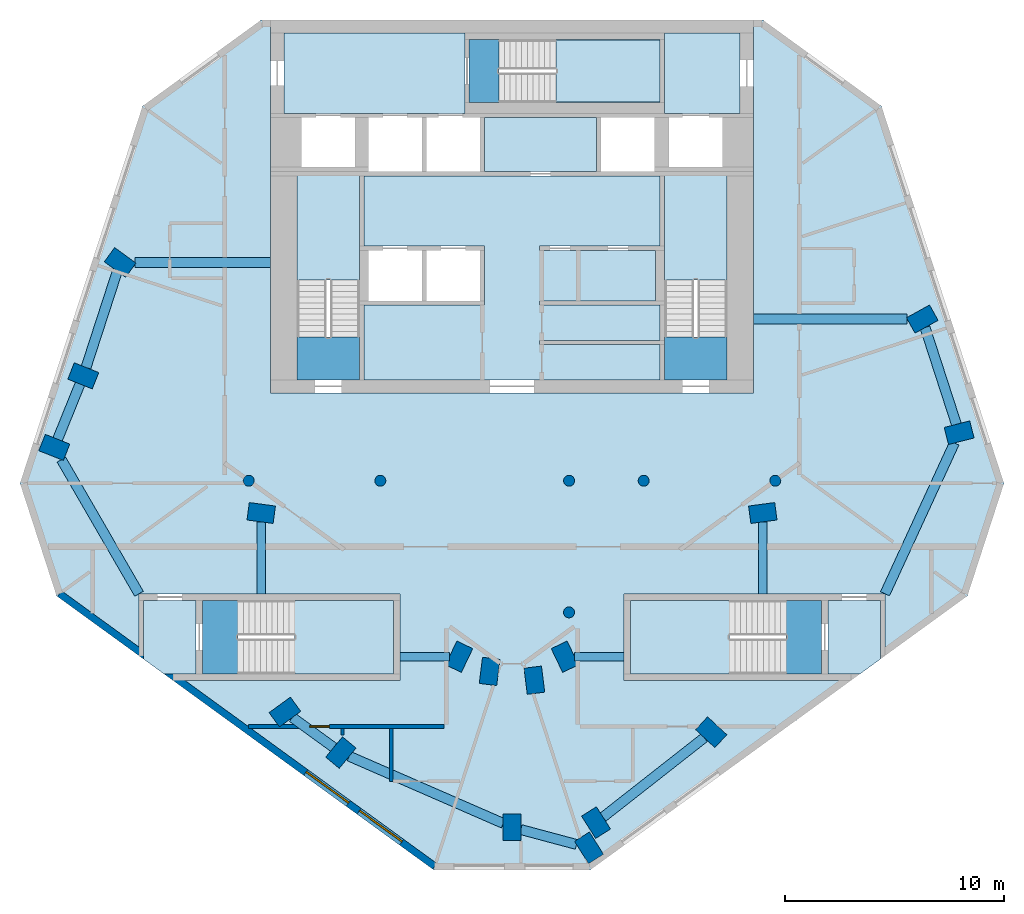
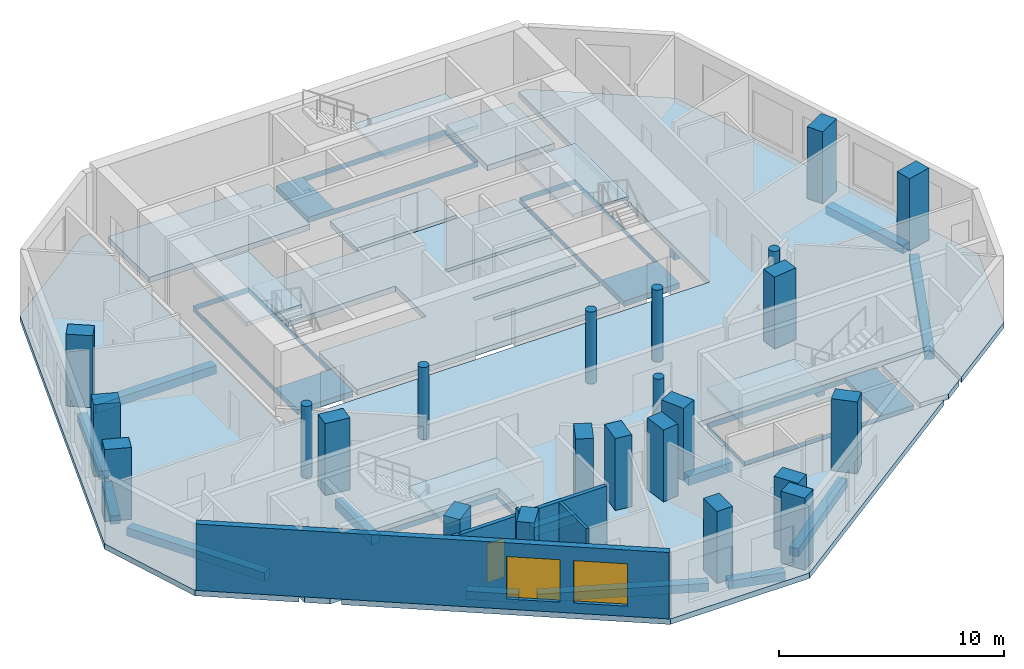
# One storey, part 1 of 8: 23 columns, 17 slabs, 15 beams, 4 walls, 2 windows, 1 door, 3 openings, 5 elements without a shape of their own.
"""IFC4 building model written with IfcOpenShell, lengths in metres."""

from ifc_helpers import new_model, si_unit, direction, frame, frame_2d, origin, origin_2d, place, context, subcontext, project, spatial, polyline, rectangle, circle, outline, extrude, material, layer, layer_set, material_profile, profile_set, type_object, element, fill, aggregate, save


model = new_model("IFC4")

# Units and contexts
model_context = context("Model", 3, precision=1e-05, world=origin(), true_north=direction((0.0, 1.0)))
body_context = subcontext(model_context, "Body", "Model", "MODEL_VIEW")
ifc_project = project(units=[si_unit("LENGTHUNIT", "METRE"), si_unit("AREAUNIT", "SQUARE_METRE"), si_unit("VOLUMEUNIT", "CUBIC_METRE"), si_unit("PLANEANGLEUNIT", "RADIAN"), si_unit("MASSUNIT", "GRAM", prefix="KILO")], contexts=[model_context])

# Site, building, storey
site_placement = place(None, origin())
site = spatial("IfcSite", under=ifc_project, at=site_placement, CompositionType="ELEMENT")
building_placement = place(site_placement, origin())
building = spatial("IfcBuilding", under=site, at=building_placement, Name="White Candle Pilgrim Tower", CompositionType="ELEMENT")
storey_placement = place(building_placement, frame((0.0, 0.0, 313.89990234375)))
storey = spatial("IfcBuildingStorey", under=building, at=storey_placement, Name="L74", CompositionType="ELEMENT", Elevation=313.89990234375)

# Columns
ifc_material_1 = material(Name="Concrete C60/75", Category="concrete")
ifc_material_profile_1 = material_profile(ifc_material_1, circle(Radius=0.25, at=origin_2d()), Name="RC-COL D500")
ifc_profile_set_1 = profile_set([ifc_material_profile_1], Name="Concrete C60/75")
column_type_1 = type_object("IfcColumnType", Name="Interior column RC-COL D500 C60/75", PredefinedType="COLUMN", material=ifc_profile_set_1)
for number, where, z_axis, x_axis, name in (
    (1, (58.0, 67.0, 0.0), (0.0, 0.0, 1.0), (1.0, 0.0, 0.0), "L74 column I01"),
    (2, (64.0, 67.0, 0.0), (0.0, 0.0, 1.0), (1.0, 0.0, 0.0), "L74 column I02"),
    (3, (72.60009765625, 61.0, 0.0), (0.0, 0.0, 1.0), (1.0, 0.0, 0.0), "L74 column I03"),
    (4, (72.60009765625, 67.0, 0.0), (0.0, 0.0, 1.0), (1.0, 0.0, 0.0), "L74 column I04"),
    (5, (76.0, 67.0, 0.0), (0.0, 0.0, 1.0), (1.0, 0.0, 0.0), "L74 column I05"),
    (6, (82.0, 67.0, 0.0), (0.0, 0.0, 1.0), (1.0, 0.0, 0.0), "L74 column I06"),
):
    element("IfcColumn", number, at=place(storey_placement, frame(where, z_axis=z_axis, x_axis=x_axis)), inside=storey, type_object=column_type_1, Name=name, PredefinedType="COLUMN", context=body_context, shape_type="SweptSolid", body=[
        extrude(circle(Radius=0.25, at=origin_2d()), origin(), (0.0, 0.0, 1.0), 3.900146484375),
    ])
ifc_material_profile_2 = material_profile(ifc_material_1, rectangle(XDim=0.800048828125, YDim=1.199951171875, at=origin_2d()), Name="RC-PR 800x1200")
ifc_profile_set_2 = profile_set([ifc_material_profile_2], Name="Concrete C60/75")
column_type_2 = type_object("IfcColumnType", Name="Perimeter column RC-PR 800x1200 C60/75", PredefinedType="COLUMN", material=ifc_profile_set_2)
for number, where, z_axis, x_axis, name in (
    (7, (59.64990234375, 56.4599609375, 0.0), (0.0, 0.0, 1.0), (-0.58846280644, 0.808524288711, 0.0), "L74 column T01"),
    (8, (62.199951171875, 54.610107421875, 0.0), (0.0, 0.0, 1.0), (-0.769310358735, 0.638875239733, 0.0), "L74 column T02"),
    (9, (70.0, 51.2099609375, 0.0), (0.0, 0.0, 1.0), (-1.0, 0.0, 0.0), "L74 column T03"),
    (10, (73.510009765625, 50.27001953125, 0.0), (0.0, 0.0, 1.0), (-0.845317785834, -0.534263830848, 0.0), "L74 column T04"),
    (11, (73.830078125, 51.419921875, 0.0), (0.0, 0.0, 1.0), (-0.845317785834, -0.534263830848, 0.0), "L74 column T05"),
    (12, (79.080078125, 55.5400390625, 0.0), (0.0, 0.0, 1.0), (-0.681998360062, -0.731353701619, 0.0), "L74 column T06"),
    (13, (90.3798828125, 69.18994140625, 0.0), (0.0, 0.0, 1.0), (0.246880623275, -0.969045900797, 0.0), "L74 column T07"),
    (14, (88.699951171875, 74.3701171875, 0.0), (0.0, 0.0, 1.0), (0.484809620246, -0.874619707139, 0.0), "L74 column T08"),
    (15, (52.139892578125, 76.949951171875, 0.0), (0.0, 0.0, 1.0), (0.587107285614, 0.809509132239, 0.0), "L74 column T09"),
    (16, (50.4599609375, 71.780029296875, 0.0), (0.0, 0.0, 1.0), (0.369860269472, 0.929087391512, 0.0), "L74 column T10"),
    (17, (49.139892578125, 68.52001953125, 0.0), (0.0, 0.0, 1.0), (0.369860269472, 0.929087391512, 0.0), "L74 column T11"),
):
    element("IfcColumn", number, at=place(storey_placement, frame(where, z_axis=z_axis, x_axis=x_axis)), inside=storey, type_object=column_type_2, Name=name, PredefinedType="COLUMN", context=body_context, shape_type="SweptSolid", body=[
        extrude(rectangle(XDim=0.800048828125, YDim=1.199951171875, at=origin_2d()), origin(), (0.0, 0.0, 1.0), 3.900146484375),
    ])
ifc_material_profile_3 = material_profile(ifc_material_1, rectangle(XDim=0.800048828125, YDim=1.199951171875, at=origin_2d()), Name="RC-PR 800x1200")
ifc_profile_set_3 = profile_set([ifc_material_profile_3], Name="Concrete C60/75")
column_type_3 = type_object("IfcColumnType", Name="Ring column RC-PR 800x1200 C60/75", PredefinedType="COLUMN", material=ifc_profile_set_3)
for number, where, z_axis, x_axis, name in (
    (18, (67.590087890625, 58.97998046875, 0.0), (0.0, 0.0, 1.0), (-0.901689191761, 0.43238478403, 0.0), "L74 column R01"),
    (19, (68.97998046875, 58.31005859375, 0.0), (0.0, 0.0, 1.0), (-0.992092811428, 0.125506388335, 0.0), "L74 column R02"),
    (20, (71.02001953125, 57.909912109375, 0.0), (0.0, 0.0, 1.0), (-0.992092811428, -0.125506388335, 0.0), "L74 column R03"),
    (21, (72.409912109375, 58.97998046875, 0.0), (0.0, 0.0, 1.0), (-0.901689191761, -0.43238478403, 0.0), "L74 column R04"),
    (22, (81.429931640625, 65.530029296875, 0.0), (0.0, 0.0, 1.0), (0.132602381688, -0.991169313675, 0.0), "L74 column R05"),
    (23, (58.570068359375, 65.530029296875, 0.0), (0.0, 0.0, 1.0), (0.132602381688, 0.991169313675, 0.0), "L74 column R06"),
):
    element("IfcColumn", number, at=place(storey_placement, frame(where, z_axis=z_axis, x_axis=x_axis)), inside=storey, type_object=column_type_3, Name=name, PredefinedType="COLUMN", context=body_context, shape_type="SweptSolid", body=[
        extrude(rectangle(XDim=0.800048828125, YDim=1.199951171875, at=origin_2d()), origin(), (0.0, 0.0, 1.0), 3.900146484375),
    ])

# Beams
ifc_material_2 = material(Name="Concrete C50/60", Category="concrete")
ifc_material_profile_4 = material_profile(ifc_material_2, rectangle(XDim=0.39990234375, YDim=0.5, at=origin_2d()), Name="RC-BM 400x500")
ifc_profile_set_4 = profile_set([ifc_material_profile_4], Name="Concrete C50/60")
beam_type_1 = type_object("IfcBeamType", Name="Ring beam RC-BM 400x500 C50/60", PredefinedType="BEAM", material=ifc_profile_set_4)
beam_1_placement = place(storey_placement, frame((72.853515625, 58.97998046875, -0.5498046875), z_axis=(1.0, 0.0, 0.0), x_axis=(0.0, 1.0, 0.0)))
element("IfcBeam", 24, at=beam_1_placement, inside=storey, type_object=beam_type_1, Name="L74 ring beam R01", PredefinedType="BEAM", context=body_context, shape_type="SweptSolid", body=[
    extrude(rectangle(XDim=0.39990234375, YDim=0.5, at=origin_2d()), origin(), (0.0, 0.0, 1.0), 2.24658203125),
])
for number, where, z_axis, x_axis, name in (
    (25, (81.429931640625, 65.12646484375, -0.5498046875), (0.0, -1.0, 0.0), (1.0, 0.0, 0.0), "L74 ring beam R02"),
    (26, (58.570068359375, 65.12646484375, -0.5498046875), (0.0, -1.0, 0.0), (1.0, 0.0, 0.0), "L74 ring beam R03"),
):
    element("IfcBeam", number, at=place(storey_placement, frame(where, z_axis=z_axis, x_axis=x_axis)), inside=storey, type_object=beam_type_1, Name=name, PredefinedType="BEAM", context=body_context, shape_type="SweptSolid", body=[
        extrude(rectangle(XDim=0.39990234375, YDim=0.5, at=origin_2d()), origin(), (0.0, 0.0, 1.0), 3.2763671875),
    ])
beam_2_placement = place(storey_placement, frame((67.146484375, 58.97998046875, -0.5498046875), z_axis=(-1.0, 0.0, 0.0), x_axis=(0.0, -1.0, 0.0)))
element("IfcBeam", 27, at=beam_2_placement, inside=storey, type_object=beam_type_1, Name="L74 ring beam R04", PredefinedType="BEAM", context=body_context, shape_type="SweptSolid", body=[
    extrude(rectangle(XDim=0.39990234375, YDim=0.5, at=origin_2d()), origin(), (0.0, 0.0, 1.0), 2.24658203125),
])
ifc_material_profile_5 = material_profile(ifc_material_2, rectangle(XDim=0.449951171875, YDim=0.449951171875, at=origin_2d()), Name="RC-BM 450x450")
ifc_profile_set_5 = profile_set([ifc_material_profile_5], Name="Concrete C50/60")
beam_type_2 = type_object("IfcBeamType", Name="Spandrel beam RC-BM 450x450 C50/60", PredefinedType="BEAM", material=ifc_profile_set_5)
beam_3_placement = place(storey_placement, frame((59.990478515625, 56.212890625, -0.52490234375), z_axis=(0.809447251057, -0.58719259852, 0.0), x_axis=(0.58719259852, 0.809447251057, 0.0)))
element("IfcBeam", 28, at=beam_3_placement, inside=storey, type_object=beam_type_2, Name="L74 spandrel beam T01", PredefinedType="BEAM", context=body_context, shape_type="SweptSolid", body=[
    extrude(rectangle(XDim=0.449951171875, YDim=0.449951171875, at=origin_2d()), origin(), (0.0, 0.0, 1.0), 2.328857421875),
])
beam_4_placement = place(storey_placement, frame((62.581787109375, 54.443603515625, -0.52490234375), z_axis=(0.9167046502, -0.399565494382, 0.0), x_axis=(0.399565494382, 0.9167046502, 0.0)))
element("IfcBeam", 29, at=beam_4_placement, inside=storey, type_object=beam_type_2, Name="L74 spandrel beam T02", PredefinedType="BEAM", context=body_context, shape_type="SweptSolid", body=[
    extrude(rectangle(XDim=0.449951171875, YDim=0.449951171875, at=origin_2d()), origin(), (0.0, 0.0, 1.0), 7.656005859375),
])
beam_5_placement = place(storey_placement, frame((70.39990234375, 51.102783203125, -0.52490234375), z_axis=(0.965978702325, -0.258621628357, 0.0), x_axis=(0.258621628357, 0.965978702325, 0.0)))
element("IfcBeam", 30, at=beam_5_placement, inside=storey, type_object=beam_type_2, Name="L74 spandrel beam T03", PredefinedType="BEAM", context=body_context, shape_type="SweptSolid", body=[
    extrude(rectangle(XDim=0.449951171875, YDim=0.449951171875, at=origin_2d()), origin(), (0.0, 0.0, 1.0), 2.6298828125),
])
beam_6_placement = place(storey_placement, frame((74.146240234375, 51.668212890625, -0.52490234375), z_axis=(0.786684987555, 0.617354622851, 0.0), x_axis=(-0.617354622851, 0.786684987555, 0.0)))
element("IfcBeam", 31, at=beam_6_placement, inside=storey, type_object=beam_type_2, Name="L74 spandrel beam T04", PredefinedType="BEAM", context=body_context, shape_type="SweptSolid", body=[
    extrude(rectangle(XDim=0.449951171875, YDim=0.449951171875, at=origin_2d()), origin(), (0.0, 0.0, 1.0), 5.86669921875),
])
beam_7_placement = place(storey_placement, frame((90.164794921875, 68.722412109375, -0.52490234375), z_axis=(-0.418290677934, -0.908313221721, 0.0), x_axis=(0.908313221721, -0.418290677934, 0.0)))
element("IfcBeam", 32, at=beam_7_placement, inside=storey, type_object=beam_type_2, Name="L74 spandrel beam T05", PredefinedType="BEAM", context=body_context, shape_type="SweptSolid", body=[
    extrude(rectangle(XDim=0.449951171875, YDim=0.449951171875, at=origin_2d()), origin(), (0.0, 0.0, 1.0), 7.56591796875),
])
beam_8_placement = place(storey_placement, frame((90.25634765625, 69.5712890625, -0.52490234375), z_axis=(-0.308509847878, 0.951221148715, 0.0), x_axis=(-0.951221148715, -0.308509847878, 0.0)))
element("IfcBeam", 33, at=beam_8_placement, inside=storey, type_object=beam_type_2, Name="L74 spandrel beam T06", PredefinedType="BEAM", context=body_context, shape_type="SweptSolid", body=[
    extrude(rectangle(XDim=0.449951171875, YDim=0.449951171875, at=origin_2d()), origin(), (0.0, 0.0, 1.0), 4.637451171875),
])
beam_9_placement = place(storey_placement, frame((88.013916015625, 74.3701171875, -0.52490234375), z_axis=(-1.0, 0.0, 0.0), x_axis=(0.0, -1.0, 0.0)))
element("IfcBeam", 34, at=beam_9_placement, inside=storey, type_object=beam_type_2, Name="L74 spandrel beam T07", PredefinedType="BEAM", context=body_context, shape_type="SweptSolid", body=[
    extrude(rectangle(XDim=0.449951171875, YDim=0.449951171875, at=origin_2d()), origin(), (0.0, 0.0, 1.0), 7.013916015625),
])
beam_10_placement = place(storey_placement, frame((52.8212890625, 76.949951171875, -0.52490234375), z_axis=(1.0, 0.0, 0.0), x_axis=(0.0, 1.0, 0.0)))
element("IfcBeam", 35, at=beam_10_placement, inside=storey, type_object=beam_type_2, Name="L74 spandrel beam T08", PredefinedType="BEAM", context=body_context, shape_type="SweptSolid", body=[
    extrude(rectangle(XDim=0.449951171875, YDim=0.449951171875, at=origin_2d()), origin(), (0.0, 0.0, 1.0), 6.1787109375),
])
beam_11_placement = place(storey_placement, frame((52.010009765625, 76.550048828125, -0.52490234375), z_axis=(-0.309013100196, -0.951057781582, 0.0), x_axis=(0.951057781582, -0.309013100196, 0.0)))
element("IfcBeam", 36, at=beam_11_placement, inside=storey, type_object=beam_type_2, Name="L74 spandrel beam T09", PredefinedType="BEAM", context=body_context, shape_type="SweptSolid", body=[
    extrude(rectangle(XDim=0.449951171875, YDim=0.449951171875, at=origin_2d()), origin(), (0.0, 0.0, 1.0), 4.61474609375),
])
beam_12_placement = place(storey_placement, frame((50.309814453125, 71.4091796875, -0.52490234375), z_axis=(-0.375337979494, -0.926888019746, 0.0), x_axis=(0.926888019746, -0.375337979494, 0.0)))
element("IfcBeam", 37, at=beam_12_placement, inside=storey, type_object=beam_type_2, Name="L74 spandrel beam T10", PredefinedType="BEAM", context=body_context, shape_type="SweptSolid", body=[
    extrude(rectangle(XDim=0.449951171875, YDim=0.449951171875, at=origin_2d()), origin(), (0.0, 0.0, 1.0), 2.717041015625),
])
beam_13_placement = place(storey_placement, frame((49.463623046875, 67.960693359375, -0.52490234375), z_axis=(0.500894499263, -0.865508348087, 0.0), x_axis=(0.865508348087, 0.500894499263, 0.0)))
element("IfcBeam", 38, at=beam_13_placement, inside=storey, type_object=beam_type_2, Name="L74 spandrel beam T11", PredefinedType="BEAM", context=body_context, shape_type="SweptSolid", body=[
    extrude(rectangle(XDim=0.449951171875, YDim=0.449951171875, at=origin_2d()), origin(), (0.0, 0.0, 1.0), 7.06005859375),
])

# Slabs
ifc_material_3 = material(Name="Concrete C40/50", Category="concrete")
ifc_layer_1 = layer(ifc_material_3, 0.300048828125)
ifc_layer_set_1 = layer_set([ifc_layer_1], Name="Core floor slab 300 mm Concrete C40/50")
slab_type_1 = type_object("IfcSlabType", Name="Core floor slab 300 mm Concrete C40/50", PredefinedType="FLOOR", material=ifc_layer_set_1)
slab_1_placement = place(storey_placement, frame((0.0, 0.0, -0.2998046875)))
element("IfcSlab", 39, at=slab_1_placement, inside=storey, type_object=slab_type_1, Name="CF-L74-01", PredefinedType="FLOOR", context=body_context, shape_type="SweptSolid", body=[
    extrude(outline(polyline([(54.5458984375, 58.199951171875), (54.133056640625, 58.199951171875), (53.199951171875, 58.8779296875), (53.199951171875, 59.023193359375), (53.199951171875, 61.550048828125), (55.60009765625, 61.550048828125), (55.60009765625, 58.199951171875), (54.5458984375, 58.199951171875)])), origin(), (0.0, 0.0, 1.0), 0.2998046875),
])
slab_2_placement = place(storey_placement, frame((0.0, 0.0, -0.2998046875)))
element("IfcSlab", 40, at=slab_2_placement, inside=storey, type_object=slab_type_1, Name="CF-L74-02", PredefinedType="FLOOR", context=body_context, shape_type="SweptSolid", body=[
    extrude(outline(polyline([(55.89990234375, 58.199951171875), (55.89990234375, 61.550048828125), (64.60009765625, 61.550048828125), (64.60009765625, 58.199951171875), (55.89990234375, 58.199951171875)]), holes=[polyline([(57.501953125, 61.548095703125), (57.501953125, 58.201904296875), (64.597900390625, 58.201904296875), (64.597900390625, 61.548095703125), (57.501953125, 61.548095703125)])]), origin(), (0.0, 0.0, 1.0), 0.2998046875),
])
slab_3_placement = place(storey_placement, frame((0.0, 0.0, -0.2998046875)))
element("IfcSlab", 41, at=slab_3_placement, inside=storey, type_object=slab_type_1, Name="CF-L74-03", PredefinedType="FLOOR", context=body_context, shape_type="SweptSolid", body=[
    extrude(outline(polyline([(75.39990234375, 58.199951171875), (75.39990234375, 61.550048828125), (84.10009765625, 61.550048828125), (84.10009765625, 58.199951171875), (75.39990234375, 58.199951171875)]), holes=[polyline([(82.498046875, 58.201904296875), (82.498046875, 61.548095703125), (75.402099609375, 61.548095703125), (75.402099609375, 58.201904296875), (82.498046875, 58.201904296875)])]), origin(), (0.0, 0.0, 1.0), 0.2998046875),
])
slab_4_placement = place(storey_placement, frame((0.0, 0.0, -0.2998046875)))
element("IfcSlab", 42, at=slab_4_placement, inside=storey, type_object=slab_type_1, Name="CF-L74-04", PredefinedType="FLOOR", context=body_context, shape_type="SweptSolid", body=[
    extrude(outline(polyline([(86.800048828125, 59.023193359375), (86.800048828125, 58.8779296875), (85.866943359375, 58.199951171875), (85.4541015625, 58.199951171875), (84.39990234375, 58.199951171875), (84.39990234375, 61.550048828125), (86.800048828125, 61.550048828125), (86.800048828125, 59.023193359375)])), origin(), (0.0, 0.0, 1.0), 0.2998046875),
])
slab_5_placement = place(storey_placement, frame((0.0, 0.0, -0.2998046875)))
element("IfcSlab", 43, at=slab_5_placement, inside=storey, type_object=slab_type_1, Name="CF-L74-05", PredefinedType="FLOOR", context=body_context, shape_type="SweptSolid", body=[
    extrude(outline(polyline([(76.949951171875, 71.60009765625), (76.949951171875, 73.199951171875), (76.949951171875, 73.39990234375), (76.949951171875, 75.0), (76.949951171875, 75.199951171875), (76.949951171875, 77.5), (76.949951171875, 77.699951171875), (76.949951171875, 80.89990234375), (79.800048828125, 80.89990234375), (79.800048828125, 71.60009765625), (76.949951171875, 71.60009765625)]), holes=[polyline([(76.951904296875, 73.552001953125), (79.798095703125, 73.552001953125), (79.798095703125, 80.89794921875), (76.951904296875, 80.89794921875), (76.951904296875, 73.552001953125)])]), origin(), (0.0, 0.0, 1.0), 0.2998046875),
])
slab_6_placement = place(storey_placement, frame((0.0, 0.0, -0.2998046875)))
element("IfcSlab", 44, at=slab_6_placement, inside=storey, type_object=slab_type_1, Name="CF-L74-06", PredefinedType="FLOOR", context=body_context, shape_type="SweptSolid", body=[
    extrude(outline(polyline([(63.25, 71.60009765625), (63.25, 75.0), (68.75, 75.0), (68.75, 75.199951171875), (68.75, 77.5), (68.75, 77.699951171875), (63.25, 77.699951171875), (63.25, 80.89990234375), (76.75, 80.89990234375), (76.75, 77.699951171875), (71.25, 77.699951171875), (71.25, 77.5), (76.550048828125, 77.5), (76.550048828125, 75.199951171875), (71.25, 75.199951171875), (71.25, 75.0), (76.75, 75.0), (76.75, 73.39990234375), (71.25, 73.39990234375), (71.25, 73.199951171875), (76.75, 73.199951171875), (76.75, 71.60009765625), (63.25, 71.60009765625)])), origin(), (0.0, 0.0, 1.0), 0.2998046875),
])
slab_7_placement = place(storey_placement, frame((0.0, 0.0, -0.2998046875)))
element("IfcSlab", 45, at=slab_7_placement, inside=storey, type_object=slab_type_1, Name="CF-L74-07", PredefinedType="FLOOR", context=body_context, shape_type="SweptSolid", body=[
    extrude(outline(polyline([(60.199951171875, 71.60009765625), (60.199951171875, 80.89990234375), (63.050048828125, 80.89990234375), (63.050048828125, 77.699951171875), (63.050048828125, 77.5), (63.050048828125, 75.199951171875), (63.050048828125, 75.0), (63.050048828125, 71.60009765625), (60.199951171875, 71.60009765625)]), holes=[polyline([(60.201904296875, 73.552001953125), (63.048095703125, 73.552001953125), (63.048095703125, 80.89794921875), (60.201904296875, 80.89794921875), (60.201904296875, 73.552001953125)])]), origin(), (0.0, 0.0, 1.0), 0.2998046875),
])
slab_8_placement = place(storey_placement, frame((0.0, 0.0, -0.2998046875)))
element("IfcSlab", 46, at=slab_8_placement, inside=storey, type_object=slab_type_1, Name="CF-L74-08", PredefinedType="FLOOR", context=body_context, shape_type="SweptSolid", body=[
    extrude(outline(polyline([(59.60009765625, 87.39990234375), (67.85009765625, 87.39990234375), (67.85009765625, 87.10009765625), (67.85009765625, 84.25), (67.85009765625, 83.75), (59.60009765625, 83.75), (59.60009765625, 87.39990234375)])), origin(), (0.0, 0.0, 1.0), 0.2998046875),
])
slab_9_placement = place(storey_placement, frame((0.0, 0.0, -0.2998046875)))
element("IfcSlab", 47, at=slab_9_placement, inside=storey, type_object=slab_type_1, Name="CF-L74-09", PredefinedType="FLOOR", context=body_context, shape_type="SweptSolid", body=[
    extrude(outline(polyline([(80.39990234375, 87.39990234375), (80.39990234375, 83.75), (76.949951171875, 83.75), (76.949951171875, 84.25), (76.949951171875, 87.10009765625), (76.949951171875, 87.39990234375), (80.39990234375, 87.39990234375)])), origin(), (0.0, 0.0, 1.0), 0.2998046875),
])
slab_10_placement = place(storey_placement, frame((0.0, 0.0, -0.2998046875)))
element("IfcSlab", 48, at=slab_10_placement, inside=storey, type_object=slab_type_1, Name="CF-L74-10", PredefinedType="FLOOR", context=body_context, shape_type="SweptSolid", body=[
    extrude(outline(polyline([(68.75, 81.10009765625), (68.75, 83.550048828125), (73.85009765625, 83.550048828125), (73.85009765625, 81.10009765625), (68.75, 81.10009765625)])), origin(), (0.0, 0.0, 1.0), 0.2998046875),
])
slab_11_placement = place(storey_placement, frame((0.0, 0.0, -0.2998046875)))
element("IfcSlab", 49, at=slab_11_placement, inside=storey, type_object=slab_type_1, Name="CF-L74-11", PredefinedType="FLOOR", context=body_context, shape_type="SweptSolid", body=[
    extrude(outline(polyline([(68.050048828125, 87.10009765625), (76.75, 87.10009765625), (76.75, 84.25), (68.050048828125, 84.25), (68.050048828125, 87.10009765625)]), holes=[polyline([(69.402099609375, 84.251953125), (76.748046875, 84.251953125), (76.748046875, 87.097900390625), (69.402099609375, 87.097900390625), (69.402099609375, 84.251953125)])]), origin(), (0.0, 0.0, 1.0), 0.2998046875),
])
ifc_layer_2 = layer(ifc_material_3, 0.300048828125)
ifc_layer_set_2 = layer_set([ifc_layer_2], Name="Floor slab 300 REI 120")
slab_type_2 = type_object("IfcSlabType", Name="Floor slab 300 REI 120", PredefinedType="FLOOR", material=ifc_layer_set_2)
slab_12_placement = place(storey_placement, frame((0.0, 0.0, -0.2998046875)))
element("IfcSlab", 50, at=slab_12_placement, inside=storey, type_object=slab_type_2, Name="L74 floor slab", PredefinedType="FLOOR", context=body_context, shape_type="SweptSolid", body=[
    extrude(outline(polyline([(66.426513671875, 49.268310546875), (73.573486328125, 49.268310546875), (85.4541015625, 57.89990234375), (75.10009765625, 57.89990234375), (75.10009765625, 61.85009765625), (87.0, 61.85009765625), (87.0, 59.023193359375), (90.756591796875, 61.752685546875), (92.424072265625, 66.8837890625), (86.837890625, 84.075927734375), (81.43701171875, 88.0), (81.0, 88.0), (81.0, 71.0), (59.0, 71.0), (59.0, 88.0), (58.56298828125, 88.0), (53.162109375, 84.075927734375), (47.575927734375, 66.8837890625), (49.243408203125, 61.752685546875), (53.0, 59.023193359375), (53.0, 61.85009765625), (64.89990234375, 61.85009765625), (64.89990234375, 57.89990234375), (54.5458984375, 57.89990234375), (66.426513671875, 49.268310546875)])), origin(), (0.0, 0.0, 1.0), 0.2998046875),
])

# Stair, slab
stair_type_1 = type_object("IfcStairType", Name="Exit stair 1 flight width 1350 mm", PredefinedType="HALF_TURN_STAIR", material=ifc_material_3)
stair_1_placement = place(storey_placement, origin())
stair_1 = element("IfcStair", 51, at=stair_1_placement, inside=storey, type_object=stair_type_1, Name="L74 stair 1", PredefinedType="NOTDEFINED")
ifc_layer_3 = layer(ifc_material_3, 0.199951171875)
ifc_layer_set_3 = layer_set([ifc_layer_3], Name="Stair landing Concrete C40/50")
slab_type_3 = type_object("IfcSlabType", Name="Stair landing Concrete C40/50", PredefinedType="LANDING", material=ifc_layer_set_3)
slab_13_placement = place(storey_placement, frame((0.0, 0.0, 1.75)))
slab_13 = element("IfcSlab", 52, at=slab_13_placement, type_object=slab_type_3, Name="ST1 landing 1", PredefinedType="LANDING", context=body_context, shape_type="SweptSolid", body=[
    extrude(outline(polyline([(63.052001953125, 76.14794921875), (60.197998046875, 76.14794921875), (60.197998046875, 80.902099609375), (63.052001953125, 80.902099609375), (63.052001953125, 76.14794921875)])), origin(), (0.0, 0.0, 1.0), 0.2001953125),
])
aggregate(stair_1, [slab_13])

stair_type_2 = type_object("IfcStairType", Name="Exit stair 2 flight width 1350 mm", PredefinedType="HALF_TURN_STAIR", material=ifc_material_3)
stair_2_placement = place(storey_placement, origin())
stair_2 = element("IfcStair", 53, at=stair_2_placement, inside=storey, type_object=stair_type_2, Name="L74 stair 2", PredefinedType="NOTDEFINED")
slab_14_placement = place(storey_placement, frame((0.0, 0.0, 1.75)))
slab_14 = element("IfcSlab", 54, at=slab_14_placement, type_object=slab_type_3, Name="ST2 landing 1", PredefinedType="LANDING", context=body_context, shape_type="SweptSolid", body=[
    extrude(outline(polyline([(79.802001953125, 76.14794921875), (76.947998046875, 76.14794921875), (76.947998046875, 80.902099609375), (79.802001953125, 80.902099609375), (79.802001953125, 76.14794921875)])), origin(), (0.0, 0.0, 1.0), 0.2001953125),
])
aggregate(stair_2, [slab_14])

stair_type_3 = type_object("IfcStairType", Name="Exit stair 3 flight width 1350 mm", PredefinedType="HALF_TURN_STAIR", material=ifc_material_3)
stair_3_placement = place(storey_placement, origin())
stair_3 = element("IfcStair", 55, at=stair_3_placement, inside=storey, type_object=stair_type_3, Name="L74 stair 3", PredefinedType="NOTDEFINED")
slab_15_placement = place(storey_placement, frame((0.0, 0.0, 1.75)))
slab_15 = element("IfcSlab", 56, at=slab_15_placement, type_object=slab_type_3, Name="ST3 landing 1", PredefinedType="LANDING", context=body_context, shape_type="SweptSolid", body=[
    extrude(outline(polyline([(71.998046875, 84.248046875), (71.998046875, 87.10205078125), (76.751953125, 87.10205078125), (76.751953125, 84.248046875), (71.998046875, 84.248046875)])), origin(), (0.0, 0.0, 1.0), 0.2001953125),
])
aggregate(stair_3, [slab_15])

stair_type_4 = type_object("IfcStairType", Name="Exit stair 4 flight width 1600 mm", PredefinedType="HALF_TURN_STAIR", material=ifc_material_3)
stair_4_placement = place(storey_placement, origin())
stair_4 = element("IfcStair", 57, at=stair_4_placement, inside=storey, type_object=stair_type_4, Name="L74 stair 4", PredefinedType="NOTDEFINED")
slab_16_placement = place(storey_placement, frame((0.0, 0.0, 1.75)))
slab_16 = element("IfcSlab", 58, at=slab_16_placement, type_object=slab_type_3, Name="ST4 landing 1", PredefinedType="LANDING", context=body_context, shape_type="SweptSolid", body=[
    extrude(outline(polyline([(79.902099609375, 61.552001953125), (79.902099609375, 58.197998046875), (75.39794921875, 58.197998046875), (75.39794921875, 61.552001953125), (79.902099609375, 61.552001953125)])), origin(), (0.0, 0.0, 1.0), 0.2001953125),
])
aggregate(stair_4, [slab_16])

stair_type_5 = type_object("IfcStairType", Name="Exit stair 5 flight width 1600 mm", PredefinedType="HALF_TURN_STAIR", material=ifc_material_3)
stair_5_placement = place(storey_placement, origin())
stair_5 = element("IfcStair", 59, at=stair_5_placement, inside=storey, type_object=stair_type_5, Name="L74 stair 5", PredefinedType="NOTDEFINED")
slab_17_placement = place(storey_placement, frame((0.0, 0.0, 1.75)))
slab_17 = element("IfcSlab", 60, at=slab_17_placement, type_object=slab_type_3, Name="ST5 landing 1", PredefinedType="LANDING", context=body_context, shape_type="SweptSolid", body=[
    extrude(outline(polyline([(60.097900390625, 58.197998046875), (60.097900390625, 61.552001953125), (64.60205078125, 61.552001953125), (64.60205078125, 58.197998046875), (60.097900390625, 58.197998046875)])), origin(), (0.0, 0.0, 1.0), 0.2001953125),
])
aggregate(stair_5, [slab_17])

# Wall, opening, door
ifc_material_4 = material(Name="Gypsum board on steel studs", Category="steel")
ifc_layer_4 = layer(ifc_material_4, 0.199951171875)
ifc_layer_set_4 = layer_set([ifc_layer_4], Name="Corridor wall 200 mm EI 45")
wall_type_1 = type_object("IfcWallType", Name="Corridor wall 200 mm EI 45", PredefinedType="PARTITIONING", material=ifc_layer_set_4)
wall_1_placement = place(storey_placement, frame((66.89990234375, 55.800048828125, 0.0), z_axis=(0.0, 0.0, 1.0), x_axis=(-1.0, 0.0, 0.0)))
wall_1 = element("IfcWall", 61, at=wall_1_placement, inside=storey, type_object=wall_type_1, Name="WL-L74-P014", PredefinedType="PARTITIONING", context=body_context, shape_type="SweptSolid", body=[
    extrude(rectangle(XDim=8.919189453125, YDim=0.199951171875, at=frame_2d((4.45947265625, 0.0))), origin(), (0.0, 0.0, 1.0), 3.150146484375),
])
opening_1_placement = place(wall_1_placement, frame((5.227294921875, 0.0, 0.0)))
opening_1 = element("IfcOpeningElement", 62, at=opening_1_placement, cuts=wall_1, Name="Opening T22-103", PredefinedType="OPENING", context=body_context, shape_type="SweptSolid", body=[
    extrude(rectangle(XDim=0.89990234375, YDim=2.10009765625, at=frame_2d((0.449951171875, 1.050048828125))), frame((0.0, 0.10986328125, 0.0), z_axis=(0.0, -1.0, 0.0), x_axis=(1.0, 0.0, 0.0)), (0.0, 0.0, 1.0), 0.219970703125),
])
ifc_material_5 = material(Name="Steel door leaf", Category="steel")
door_type = type_object("IfcDoorType", Name="Fire door 900 x 2100 EI 30", OperationType="NOTDEFINED", PredefinedType="DOOR", material=ifc_material_5)
door_placement = place(opening_1_placement, origin())
door = element("IfcDoor", 63, at=door_placement, inside=storey, type_object=door_type, Name="Door T22-103", OperationType="SINGLE_SWING_LEFT", OverallHeight=2.10009765625, OverallWidth=0.89990234375, PredefinedType="DOOR", context=body_context, shape_type="SweptSolid", body=[
    extrude(rectangle(XDim=0.89990234375, YDim=2.10009765625, at=frame_2d((0.449951171875, 1.050048828125))), frame((0.0, 0.02490234375, 0.0), z_axis=(0.0, -1.0, 0.0), x_axis=(1.0, 0.0, 0.0)), (0.0, 0.0, 1.0), 0.050048828125),
])
fill(opening_1, door)

# Wall, openings, windows
ifc_material_6 = material(Name="Precast concrete C40/50", Category="concrete")
ifc_layer_5 = layer(ifc_material_6, 0.320068359375)
ifc_layer_set_5 = layer_set([ifc_layer_5], Name="Facade wall EW1 precast concrete C40/50 pier wall with timber-lined reveals")
wall_type_2 = type_object("IfcWallType", Name="Facade wall EW1 precast concrete C40/50 pier wall with timber-lined reveals", PredefinedType="SOLIDWALL", material=ifc_layer_set_5)
wall_2_placement = place(storey_placement, frame((49.37939453125, 61.8515625, 0.0), z_axis=(0.0, 0.0, 1.0), x_axis=(0.809014717996, -0.587788385447, 0.0)))
wall_2 = element("IfcWall", 64, at=wall_2_placement, inside=storey, type_object=wall_type_2, Name="Facade wall L74 SW", PredefinedType="SOLIDWALL", context=body_context, shape_type="SweptSolid", body=[
    extrude(rectangle(XDim=21.1357421875, YDim=0.320068359375, at=frame_2d((10.56787109375, 0.0))), origin(), (0.0, 0.0, 1.0), 3.60009765625),
])
opening_2_placement = place(wall_2_placement, frame((13.867919921875, 0.0, 0.550048828125)))
opening_2 = element("IfcOpeningElement", 65, at=opening_2_placement, cuts=wall_2, Name="Opening W5", PredefinedType="OPENING", context=body_context, shape_type="SweptSolid", body=[
    extrude(rectangle(XDim=2.39990234375, YDim=2.300048828125, at=frame_2d((1.199951171875, 1.14990234375))), frame((0.0, 0.169921875, 0.0), z_axis=(0.0, -1.0, 0.0), x_axis=(1.0, 0.0, 0.0)), (0.0, 0.0, 1.0), 0.340087890625),
])
opening_3_placement = place(wall_2_placement, frame((16.867919921875, 0.0, 0.550048828125)))
opening_3 = element("IfcOpeningElement", 66, at=opening_3_placement, cuts=wall_2, Name="Opening W5", PredefinedType="OPENING", context=body_context, shape_type="SweptSolid", body=[
    extrude(rectangle(XDim=2.39990234375, YDim=2.300048828125, at=frame_2d((1.199951171875, 1.14990234375))), frame((0.0, 0.169921875, 0.0), z_axis=(0.0, -1.0, 0.0), x_axis=(1.0, 0.0, 0.0)), (0.0, 0.0, 1.0), 0.340087890625),
])
ifc_material_7 = material(Name="Timber frame with triple glazing", Category="wood")
window_type = type_object("IfcWindowType", Name="Window W5 2400x2300 timber frame triple glazing", PartitioningType="SINGLE_PANEL", PredefinedType="WINDOW", material=ifc_material_7)
window_1_placement = place(opening_2_placement, origin())
window_1 = element("IfcWindow", 67, at=window_1_placement, inside=storey, type_object=window_type, Name="Window W5 L74 SW 5", OverallHeight=2.300048828125, OverallWidth=2.39990234375, PartitioningType="SINGLE_PANEL", PredefinedType="WINDOW", context=body_context, shape_type="SweptSolid", body=[
    extrude(rectangle(XDim=2.39990234375, YDim=2.300048828125, at=frame_2d((1.199951171875, 1.14990234375))), frame((0.0, 0.070068359375, 0.0), z_axis=(0.0, -1.0, 0.0), x_axis=(1.0, 0.0, 0.0)), (0.0, 0.0, 1.0), 0.06005859375),
])
fill(opening_2, window_1)
window_2_placement = place(opening_3_placement, origin())
window_2 = element("IfcWindow", 68, at=window_2_placement, inside=storey, type_object=window_type, Name="Window W5 L74 SW 6", OverallHeight=2.300048828125, OverallWidth=2.39990234375, PartitioningType="SINGLE_PANEL", PredefinedType="WINDOW", context=body_context, shape_type="SweptSolid", body=[
    extrude(rectangle(XDim=2.39990234375, YDim=2.300048828125, at=frame_2d((1.199951171875, 1.14990234375))), frame((0.0, 0.070068359375, 0.0), z_axis=(0.0, -1.0, 0.0), x_axis=(1.0, 0.0, 0.0)), (0.0, 0.0, 1.0), 0.06005859375),
])
fill(opening_3, window_2)

# Walls
ifc_layer_6 = layer(ifc_material_4, 0.14990234375)
ifc_layer_set_6 = layer_set([ifc_layer_6], Name="Partition 150 mm EI 60")
wall_type_3 = type_object("IfcWallType", Name="Partition 150 mm EI 60", PredefinedType="PARTITIONING", material=ifc_layer_set_6)
wall_3_placement = place(storey_placement, frame((64.5, 55.699951171875, 0.0), z_axis=(0.0, 0.0, 1.0), x_axis=(0.0, -1.0, 0.0)))
element("IfcWall", 69, at=wall_3_placement, inside=storey, type_object=wall_type_3, Name="WL-L74-P029", PredefinedType="PARTITIONING", context=body_context, shape_type="SweptSolid", body=[
    extrude(rectangle(XDim=2.39990234375, YDim=0.14990234375, at=frame_2d((1.199951171875, 0.0))), origin(), (0.0, 0.0, 1.0), 3.150146484375),
])
wall_4_placement = place(storey_placement, frame((62.27587890625, 55.4169921875, 0.0), z_axis=(0.0, 0.0, 1.0), x_axis=(0.0, 1.0, 0.0)))
element("IfcWall", 70, at=wall_4_placement, inside=storey, type_object=wall_type_3, Name="WL-L74-P038", PredefinedType="PARTITIONING", context=body_context, shape_type="SweptSolid", body=[
    extrude(rectangle(XDim=0.282958984375, YDim=0.14990234375, at=frame_2d((0.1416015625, 0.0))), origin(), (0.0, 0.0, 1.0), 3.60009765625),
])

save(model, "model.ifc")
